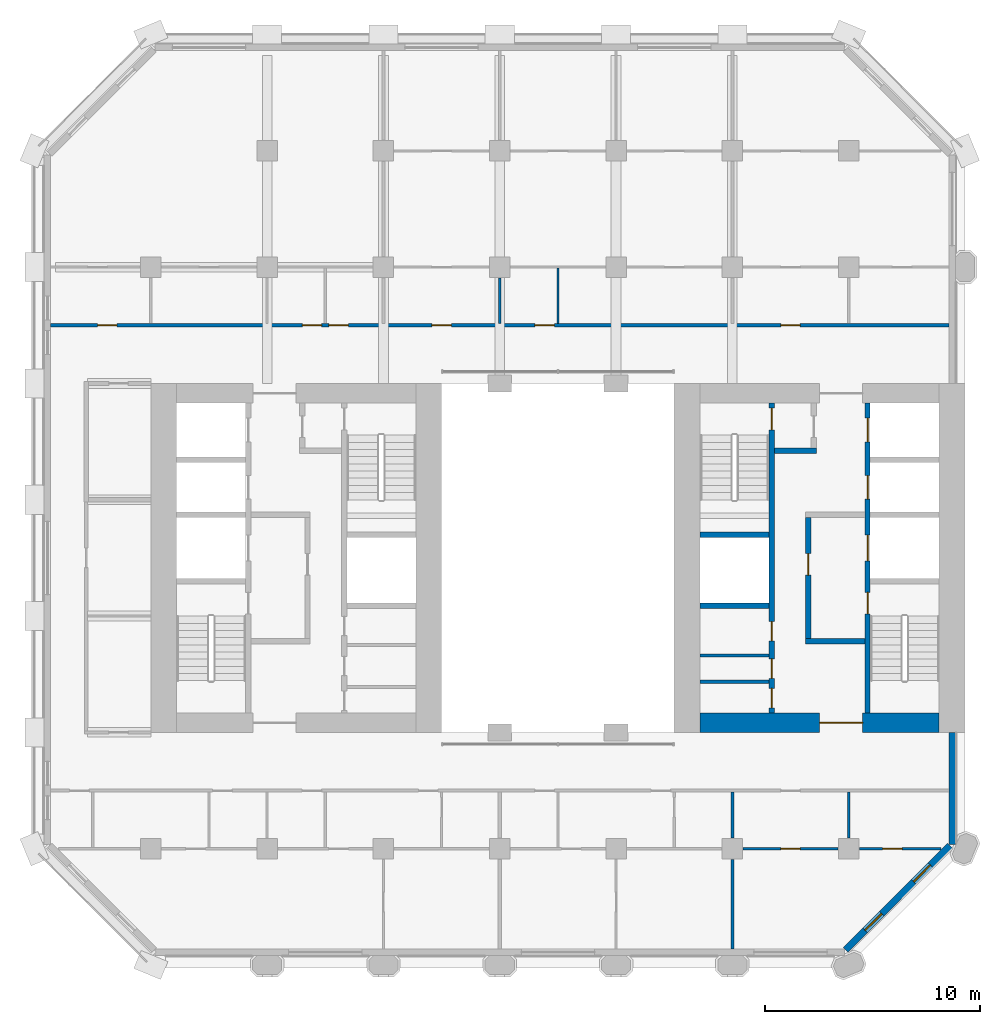
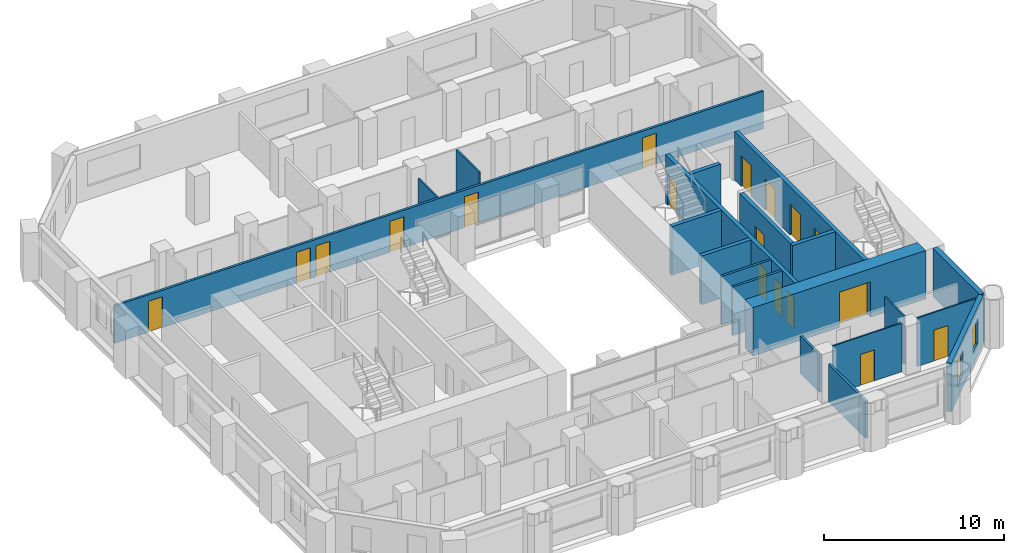
# One storey, part 8 of 13: 20 walls, 18 doors, 2 windows, 20 openings.
"""IFC4 building model written with IfcOpenShell, lengths in metres."""

from ifc_helpers import new_model, si_unit, direction, frame, frame_2d, origin, place, context, subcontext, project, spatial, rectangle, extrude, material, layer, layer_set, type_object, element, fill, save


model = new_model("IFC4")

# Units and contexts
model_context = context("Model", 3, precision=1e-05, world=origin(), true_north=direction((0.0, 1.0)))
body_context = subcontext(model_context, "Body", "Model", "MODEL_VIEW")
ifc_project = project(units=[si_unit("LENGTHUNIT", "METRE"), si_unit("AREAUNIT", "SQUARE_METRE"), si_unit("VOLUMEUNIT", "CUBIC_METRE"), si_unit("PLANEANGLEUNIT", "RADIAN"), si_unit("MASSUNIT", "GRAM", prefix="KILO")], contexts=[model_context])

# Site, building, storey
site_placement = place(None, origin())
site = spatial("IfcSite", under=ifc_project, at=site_placement, CompositionType="ELEMENT")
building_placement = place(site_placement, origin())
building = spatial("IfcBuilding", under=site, at=building_placement, Name="Tabaq Tower and Sports Hall", CompositionType="ELEMENT")
storey_placement = place(building_placement, frame((0.0, 0.0, 122.0)))
storey = spatial("IfcBuildingStorey", under=building, at=storey_placement, Name="L29", CompositionType="ELEMENT", Elevation=122.0)

# Walls
ifc_material_1 = material(Name="Blockwork", Category="masonry")
ifc_layer_1 = layer(ifc_material_1, 0.14990234375)
ifc_layer_set_1 = layer_set([ifc_layer_1], Name="Core room partition 150 Blockwork")
wall_type_1 = type_object("IfcWallType", Name="Core room partition 150 Blockwork", PredefinedType="PARTITIONING", material=ifc_layer_set_1)
for number, where, z_axis, x_axis, name in (
    (1, (30.89990234375, 18.554931640625, 0.0), (0.0, 0.0, 1.0), (1.0, 0.0, 0.0), "Core room partition E L29"),
    (2, (30.89990234375, 19.76708984375, 0.0), (0.0, 0.0, 1.0), (1.0, 0.0, 0.0), "Core room partition E L29"),
):
    element("IfcWall", number, at=place(storey_placement, frame(where, z_axis=z_axis, x_axis=x_axis)), inside=storey, type_object=wall_type_1, Name=name, PredefinedType="PARTITIONING", context=body_context, shape_type="SweptSolid", body=[
        extrude(rectangle(XDim=3.2001953125, YDim=0.14990234375, at=frame_2d((1.60009765625, 0.0))), origin(), (0.0, 0.0, 1.0), 3.300048828125),
    ])

# Wall, opening, door
ifc_material_2 = material(Name="Concrete C60/75", Category="concrete")
ifc_layer_2 = layer(ifc_material_2, 0.89990234375)
ifc_layer_set_2 = layer_set([ifc_layer_2], Name="Core wall 900 Concrete C60/75")
wall_type_2 = type_object("IfcWallType", Name="Core wall 900 Concrete C60/75", PredefinedType="SOLIDWALL", material=ifc_layer_set_2)
wall_1_placement = place(storey_placement, frame((42.0, 16.64990234375, 0.0), z_axis=(0.0, 0.0, 1.0), x_axis=(-1.0, 0.0, 0.0)))
wall_1 = element("IfcWall", 3, at=wall_1_placement, inside=storey, type_object=wall_type_2, Name="Core wall E L29", PredefinedType="SOLIDWALL", context=body_context, shape_type="SweptSolid", body=[
    extrude(rectangle(XDim=11.10009765625, YDim=0.89990234375, at=frame_2d((5.550048828125, 0.0))), origin(), (0.0, 0.0, 1.0), 3.300048828125),
])
opening_1_placement = place(wall_1_placement, frame((3.550048828125, 0.0, 0.0)))
opening_1 = element("IfcOpeningElement", 4, at=opening_1_placement, cuts=wall_1, Name="Opening PD-EL29-01", PredefinedType="OPENING", context=body_context, shape_type="SweptSolid", body=[
    extrude(rectangle(XDim=2.0, YDim=2.39990234375, at=frame_2d((1.0, 1.199951171875))), frame((0.0, 0.449951171875, 0.0), z_axis=(0.0, -1.0, 0.0), x_axis=(1.0, 0.0, 0.0)), (0.0, 0.0, 1.0), 0.89990234375),
])
ifc_material_3 = material(Name="Steel fire door", Category="steel")
door_type_1 = type_object("IfcDoorType", Name="Core entrance door 2000", OperationType="DOUBLE_DOOR_SINGLE_SWING", PredefinedType="DOOR", material=ifc_material_3)
door_1_placement = place(opening_1_placement, origin())
door_1 = element("IfcDoor", 5, at=door_1_placement, inside=storey, type_object=door_type_1, Name="Core entrance south E L29", OperationType="DOUBLE_DOOR_SINGLE_SWING", OverallHeight=2.39990234375, OverallWidth=2.0, PredefinedType="DOOR", context=body_context, shape_type="SweptSolid", body=[
    extrude(rectangle(XDim=2.0, YDim=2.39990234375, at=frame_2d((1.0, 1.199951171875))), frame((0.0, 0.02490234375, 0.0), z_axis=(0.0, -1.0, 0.0), x_axis=(1.0, 0.0, 0.0)), (0.0, 0.0, 1.0), 0.050048828125),
])
fill(opening_1, door_1)

# Walls
ifc_material_4 = material(Name="Gypsum board on steel studs", Category="steel")
ifc_layer_3 = layer(ifc_material_4, 0.10009765625)
ifc_layer_set_3 = layer_set([ifc_layer_3], Name="Partition 100 Gypsum board")
wall_type_3 = type_object("IfcWallType", Name="Partition 100 Gypsum board", PredefinedType="PARTITIONING", material=ifc_layer_set_3)
wall_2_placement = place(storey_placement, frame((21.60009765625, 35.175048828125, 0.0), z_axis=(0.0, 0.0, 1.0), x_axis=(0.0, 1.0, 0.0)))
element("IfcWall", 6, at=wall_2_placement, inside=storey, type_object=wall_type_3, Name="Partition wall L29", PredefinedType="PARTITIONING", context=body_context, shape_type="SweptSolid", body=[
    extrude(rectangle(XDim=2.1298828125, YDim=0.10009765625, at=frame_2d((1.06494140625, 0.0))), origin(), (0.0, 0.0, 1.0), 2.550048828125),
])
wall_3_placement = place(storey_placement, frame((24.300048828125, 35.175048828125, 0.0), z_axis=(0.0, 0.0, 1.0), x_axis=(0.0, 1.0, 0.0)))
element("IfcWall", 7, at=wall_3_placement, inside=storey, type_object=wall_type_3, Name="Partition wall L29", PredefinedType="PARTITIONING", context=body_context, shape_type="SweptSolid", body=[
    extrude(rectangle(XDim=2.574951171875, YDim=0.10009765625, at=frame_2d((1.28759765625, 0.0))), origin(), (0.0, 0.0, 1.0), 3.300048828125),
])

# Wall, opening, door
wall_4_placement = place(storey_placement, frame((32.89501953125, 10.800048828125, 0.0), z_axis=(0.0, 0.0, 1.0), x_axis=(1.0, 0.0, 0.0)))
wall_4 = element("IfcWall", 8, at=wall_4_placement, inside=storey, type_object=wall_type_3, Name="Partition wall L29", PredefinedType="PARTITIONING", context=body_context, shape_type="SweptSolid", body=[
    extrude(rectangle(XDim=4.409912109375, YDim=0.10009765625, at=frame_2d((2.205078125, 0.0))), origin(), (0.0, 0.0, 1.0), 3.300048828125),
])
opening_2_placement = place(wall_4_placement, frame((1.7548828125, 0.0, 0.0)))
opening_2 = element("IfcOpeningElement", 9, at=opening_2_placement, cuts=wall_4, Name="Opening L29-032", PredefinedType="OPENING", context=body_context, shape_type="SweptSolid", body=[
    extrude(rectangle(XDim=0.89990234375, YDim=2.10009765625, at=frame_2d((0.449951171875, 1.050048828125))), frame((0.0, 0.050048828125, 0.0), z_axis=(0.0, -1.0, 0.0), x_axis=(1.0, 0.0, 0.0)), (0.0, 0.0, 1.0), 0.10009765625),
])
ifc_material_5 = material(Name="Timber leaf in steel frame", Category="steel")
door_type_2 = type_object("IfcDoorType", Name="Internal door 900 left hand", OperationType="SINGLE_SWING_LEFT", PredefinedType="DOOR", material=ifc_material_5)
door_2_placement = place(opening_2_placement, origin())
door_2 = element("IfcDoor", 10, at=door_2_placement, inside=storey, type_object=door_type_2, Name="Internal door L29-032", OperationType="SINGLE_SWING_LEFT", OverallHeight=2.10009765625, OverallWidth=0.89990234375, PredefinedType="DOOR", context=body_context, shape_type="SweptSolid", body=[
    extrude(rectangle(XDim=0.89990234375, YDim=2.10009765625, at=frame_2d((0.449951171875, 1.050048828125))), frame((0.0, 0.02490234375, 0.0), z_axis=(0.0, -1.0, 0.0), x_axis=(1.0, 0.0, 0.0)), (0.0, 0.0, 1.0), 0.050048828125),
])
fill(opening_2, door_2)

# Wall
wall_5_placement = place(storey_placement, frame((37.800048828125, 11.294921875, 0.0), z_axis=(0.0, 0.0, 1.0), x_axis=(0.0, 1.0, 0.0)))
element("IfcWall", 11, at=wall_5_placement, inside=storey, type_object=wall_type_3, Name="Partition wall L29", PredefinedType="PARTITIONING", context=body_context, shape_type="SweptSolid", body=[
    extrude(rectangle(XDim=2.130126953125, YDim=0.10009765625, at=frame_2d((1.06494140625, 0.0))), origin(), (0.0, 0.0, 1.0), 3.300048828125),
])

# Wall, opening, door
wall_6_placement = place(storey_placement, frame((38.294921875, 10.800048828125, 0.0), z_axis=(0.0, 0.0, 1.0), x_axis=(1.0, 0.0, 0.0)))
wall_6 = element("IfcWall", 12, at=wall_6_placement, inside=storey, type_object=wall_type_3, Name="Partition wall L29", PredefinedType="PARTITIONING", context=body_context, shape_type="SweptSolid", body=[
    extrude(rectangle(XDim=3.79296875, YDim=0.10009765625, at=frame_2d((1.896484375, 0.0))), origin(), (0.0, 0.0, 1.0), 3.300048828125),
])
opening_3_placement = place(wall_6_placement, frame((1.080078125, 0.0, 0.0)))
opening_3 = element("IfcOpeningElement", 13, at=opening_3_placement, cuts=wall_6, Name="Opening L29-023", PredefinedType="OPENING", context=body_context, shape_type="SweptSolid", body=[
    extrude(rectangle(XDim=0.89990234375, YDim=2.10009765625, at=frame_2d((0.449951171875, 1.050048828125))), frame((0.0, 0.050048828125, 0.0), z_axis=(0.0, -1.0, 0.0), x_axis=(1.0, 0.0, 0.0)), (0.0, 0.0, 1.0), 0.10009765625),
])
ifc_material_6 = material(Name="Timber leaf in steel frame", Category="steel")
door_type_3 = type_object("IfcDoorType", Name="Internal door 900 right hand", OperationType="SINGLE_SWING_RIGHT", PredefinedType="DOOR", material=ifc_material_6)
door_3_placement = place(opening_3_placement, origin())
door_3 = element("IfcDoor", 14, at=door_3_placement, inside=storey, type_object=door_type_3, Name="Internal door L29-023", OperationType="SINGLE_SWING_RIGHT", OverallHeight=2.10009765625, OverallWidth=0.89990234375, PredefinedType="DOOR", context=body_context, shape_type="SweptSolid", body=[
    extrude(rectangle(XDim=0.89990234375, YDim=2.10009765625, at=frame_2d((0.449951171875, 1.050048828125))), frame((0.0, 0.02490234375, 0.0), z_axis=(0.0, -1.0, 0.0), x_axis=(1.0, 0.0, 0.0)), (0.0, 0.0, 1.0), 0.050048828125),
])
fill(opening_3, door_3)

# Wall, openings, doors
ifc_material_7 = material(Name="Blockwork", Category="masonry")
ifc_layer_4 = layer(ifc_material_7, 0.14990234375)
ifc_layer_set_4 = layer_set([ifc_layer_4], Name="Separating wall 150 Blockwork")
wall_type_4 = type_object("IfcWallType", Name="Separating wall 150 Blockwork", PredefinedType="PARTITIONING", material=ifc_layer_set_4)
wall_7_placement = place(storey_placement, frame((42.448974609375, 35.10009765625, 0.0), z_axis=(0.0, 0.0, 1.0), x_axis=(-1.0, 0.0, 0.0)))
wall_7 = element("IfcWall", 15, at=wall_7_placement, inside=storey, type_object=wall_type_4, Name="Separating wall L29", PredefinedType="PARTITIONING", context=body_context, shape_type="SweptSolid", body=[
    extrude(rectangle(XDim=41.697998046875, YDim=0.14990234375, at=frame_2d((20.84912109375, 0.0))), origin(), (0.0, 0.0, 1.0), 2.550048828125),
])
opening_4_placement = place(wall_7_placement, frame((29.118896484375, 0.0, 0.0)))
opening_4 = element("IfcOpeningElement", 16, at=opening_4_placement, cuts=wall_7, Name="Opening L29-001", PredefinedType="OPENING", context=body_context, shape_type="SweptSolid", body=[
    extrude(rectangle(XDim=0.89990234375, YDim=2.10009765625, at=frame_2d((0.449951171875, 1.050048828125))), frame((0.0, 0.074951171875, 0.0), z_axis=(0.0, -1.0, 0.0), x_axis=(1.0, 0.0, 0.0)), (0.0, 0.0, 1.0), 0.14990234375),
])
opening_5_placement = place(wall_7_placement, frame((27.87890625, 0.0, 0.0)))
opening_5 = element("IfcOpeningElement", 17, at=opening_5_placement, cuts=wall_7, Name="Opening L29-002", PredefinedType="OPENING", context=body_context, shape_type="SweptSolid", body=[
    extrude(rectangle(XDim=0.89990234375, YDim=2.10009765625, at=frame_2d((0.449951171875, 1.050048828125))), frame((0.0, 0.074951171875, 0.0), z_axis=(0.0, -1.0, 0.0), x_axis=(1.0, 0.0, 0.0)), (0.0, 0.0, 1.0), 0.14990234375),
])
opening_6_placement = place(wall_7_placement, frame((18.319091796875, 0.0, 0.0)))
opening_6 = element("IfcOpeningElement", 18, at=opening_6_placement, cuts=wall_7, Name="Opening L29-003", PredefinedType="OPENING", context=body_context, shape_type="SweptSolid", body=[
    extrude(rectangle(XDim=0.89990234375, YDim=2.10009765625, at=frame_2d((0.449951171875, 1.050048828125))), frame((0.0, 0.074951171875, 0.0), z_axis=(0.0, -1.0, 0.0), x_axis=(1.0, 0.0, 0.0)), (0.0, 0.0, 1.0), 0.14990234375),
])
opening_7_placement = place(wall_7_placement, frame((38.6240234375, 0.0, 0.0)))
opening_7 = element("IfcOpeningElement", 19, at=opening_7_placement, cuts=wall_7, Name="Opening L29-024", PredefinedType="OPENING", context=body_context, shape_type="SweptSolid", body=[
    extrude(rectangle(XDim=0.89990234375, YDim=2.10009765625, at=frame_2d((0.449951171875, 1.050048828125))), frame((0.0, 0.074951171875, 0.0), z_axis=(0.0, -1.0, 0.0), x_axis=(1.0, 0.0, 0.0)), (0.0, 0.0, 1.0), 0.14990234375),
])
opening_8_placement = place(wall_7_placement, frame((23.09912109375, 0.0, 0.0)))
opening_8 = element("IfcOpeningElement", 20, at=opening_8_placement, cuts=wall_7, Name="Opening L29-025", PredefinedType="OPENING", context=body_context, shape_type="SweptSolid", body=[
    extrude(rectangle(XDim=0.89990234375, YDim=2.10009765625, at=frame_2d((0.449951171875, 1.050048828125))), frame((0.0, 0.074951171875, 0.0), z_axis=(0.0, -1.0, 0.0), x_axis=(1.0, 0.0, 0.0)), (0.0, 0.0, 1.0), 0.14990234375),
])
opening_9_placement = place(wall_7_placement, frame((6.89892578125, 0.0, 0.0)))
opening_9 = element("IfcOpeningElement", 21, at=opening_9_placement, cuts=wall_7, Name="Opening L29-026", PredefinedType="OPENING", context=body_context, shape_type="SweptSolid", body=[
    extrude(rectangle(XDim=0.89990234375, YDim=2.10009765625, at=frame_2d((0.449951171875, 1.050048828125))), frame((0.0, 0.074951171875, 0.0), z_axis=(0.0, -1.0, 0.0), x_axis=(1.0, 0.0, 0.0)), (0.0, 0.0, 1.0), 0.14990234375),
])
ifc_material_8 = material(Name="Steel fire door", Category="steel")
door_type_4 = type_object("IfcDoorType", Name="Entrance door 900 left hand", OperationType="SINGLE_SWING_LEFT", PredefinedType="DOOR", material=ifc_material_8)
door_4_placement = place(opening_4_placement, origin())
door_4 = element("IfcDoor", 22, at=door_4_placement, inside=storey, type_object=door_type_4, Name="Entrance door L29-001", OperationType="SINGLE_SWING_LEFT", OverallHeight=2.10009765625, OverallWidth=0.89990234375, PredefinedType="DOOR", context=body_context, shape_type="SweptSolid", body=[
    extrude(rectangle(XDim=0.89990234375, YDim=2.10009765625, at=frame_2d((0.449951171875, 1.050048828125))), frame((0.0, 0.02490234375, 0.0), z_axis=(0.0, -1.0, 0.0), x_axis=(1.0, 0.0, 0.0)), (0.0, 0.0, 1.0), 0.050048828125),
])
fill(opening_4, door_4)
door_5_placement = place(opening_5_placement, origin())
door_5 = element("IfcDoor", 23, at=door_5_placement, inside=storey, type_object=door_type_4, Name="Entrance door L29-002", OperationType="SINGLE_SWING_LEFT", OverallHeight=2.10009765625, OverallWidth=0.89990234375, PredefinedType="DOOR", context=body_context, shape_type="SweptSolid", body=[
    extrude(rectangle(XDim=0.89990234375, YDim=2.10009765625, at=frame_2d((0.449951171875, 1.050048828125))), frame((0.0, 0.02490234375, 0.0), z_axis=(0.0, -1.0, 0.0), x_axis=(1.0, 0.0, 0.0)), (0.0, 0.0, 1.0), 0.050048828125),
])
fill(opening_5, door_5)
door_6_placement = place(opening_6_placement, origin())
door_6 = element("IfcDoor", 24, at=door_6_placement, inside=storey, type_object=door_type_4, Name="Entrance door L29-003", OperationType="SINGLE_SWING_LEFT", OverallHeight=2.10009765625, OverallWidth=0.89990234375, PredefinedType="DOOR", context=body_context, shape_type="SweptSolid", body=[
    extrude(rectangle(XDim=0.89990234375, YDim=2.10009765625, at=frame_2d((0.449951171875, 1.050048828125))), frame((0.0, 0.02490234375, 0.0), z_axis=(0.0, -1.0, 0.0), x_axis=(1.0, 0.0, 0.0)), (0.0, 0.0, 1.0), 0.050048828125),
])
fill(opening_6, door_6)
door_7_placement = place(opening_7_placement, origin())
door_7 = element("IfcDoor", 25, at=door_7_placement, inside=storey, type_object=door_type_4, Name="Entrance door L29-024", OperationType="SINGLE_SWING_LEFT", OverallHeight=2.10009765625, OverallWidth=0.89990234375, PredefinedType="DOOR", context=body_context, shape_type="SweptSolid", body=[
    extrude(rectangle(XDim=0.89990234375, YDim=2.10009765625, at=frame_2d((0.449951171875, 1.050048828125))), frame((0.0, 0.02490234375, 0.0), z_axis=(0.0, -1.0, 0.0), x_axis=(1.0, 0.0, 0.0)), (0.0, 0.0, 1.0), 0.050048828125),
])
fill(opening_7, door_7)
door_8_placement = place(opening_8_placement, origin())
door_8 = element("IfcDoor", 26, at=door_8_placement, inside=storey, type_object=door_type_4, Name="Entrance door L29-025", OperationType="SINGLE_SWING_LEFT", OverallHeight=2.10009765625, OverallWidth=0.89990234375, PredefinedType="DOOR", context=body_context, shape_type="SweptSolid", body=[
    extrude(rectangle(XDim=0.89990234375, YDim=2.10009765625, at=frame_2d((0.449951171875, 1.050048828125))), frame((0.0, 0.02490234375, 0.0), z_axis=(0.0, -1.0, 0.0), x_axis=(1.0, 0.0, 0.0)), (0.0, 0.0, 1.0), 0.050048828125),
])
fill(opening_8, door_8)
door_9_placement = place(opening_9_placement, origin())
door_9 = element("IfcDoor", 27, at=door_9_placement, inside=storey, type_object=door_type_4, Name="Entrance door L29-026", OperationType="SINGLE_SWING_LEFT", OverallHeight=2.10009765625, OverallWidth=0.89990234375, PredefinedType="DOOR", context=body_context, shape_type="SweptSolid", body=[
    extrude(rectangle(XDim=0.89990234375, YDim=2.10009765625, at=frame_2d((0.449951171875, 1.050048828125))), frame((0.0, 0.02490234375, 0.0), z_axis=(0.0, -1.0, 0.0), x_axis=(1.0, 0.0, 0.0)), (0.0, 0.0, 1.0), 0.050048828125),
])
fill(opening_9, door_9)

# Walls
wall_8_placement = place(storey_placement, frame((32.39990234375, 11.294921875, 0.0), z_axis=(0.0, 0.0, 1.0), x_axis=(0.0, 1.0, 0.0)))
element("IfcWall", 28, at=wall_8_placement, inside=storey, type_object=wall_type_4, Name="Separating wall L29", PredefinedType="PARTITIONING", context=body_context, shape_type="SweptSolid", body=[
    extrude(rectangle(XDim=2.130126953125, YDim=0.14990234375, at=frame_2d((1.06494140625, 0.0))), origin(), (0.0, 0.0, 1.0), 2.550048828125),
])
wall_9_placement = place(storey_placement, frame((32.39990234375, 6.15087890625, 0.0), z_axis=(0.0, 0.0, 1.0), x_axis=(0.0, 1.0, 0.0)))
element("IfcWall", 29, at=wall_9_placement, inside=storey, type_object=wall_type_4, Name="Separating wall L29", PredefinedType="PARTITIONING", context=body_context, shape_type="SweptSolid", body=[
    extrude(rectangle(XDim=4.154052734375, YDim=0.14990234375, at=frame_2d((2.0771484375, 0.0))), origin(), (0.0, 0.0, 1.0), 2.550048828125),
])

# Wall, openings, doors
ifc_material_9 = material(Name="Concrete C40/50", Category="concrete")
ifc_layer_5 = layer(ifc_material_9, 0.25)
ifc_layer_set_5 = layer_set([ifc_layer_5], Name="Shaft and stair wall 250 Concrete C40/50")
wall_type_5 = type_object("IfcWallType", Name="Shaft and stair wall 250 Concrete C40/50", PredefinedType="SOLIDWALL", material=ifc_layer_set_5)
wall_10_placement = place(storey_placement, frame((38.675048828125, 17.10009765625, 0.0), z_axis=(0.0, 0.0, 1.0), x_axis=(0.0, 1.0, 0.0)))
wall_10 = element("IfcWall", 30, at=wall_10_placement, inside=storey, type_object=wall_type_5, Name="Shaft wall E L29", PredefinedType="SOLIDWALL", context=body_context, shape_type="SweptSolid", body=[
    extrude(rectangle(XDim=14.39990234375, YDim=0.25, at=frame_2d((7.199951171875, 0.0))), origin(), (0.0, 0.0, 1.0), 3.300048828125),
])
opening_10_placement = place(wall_10_placement, frame((4.60009765625, 0.0, 0.0)))
opening_10 = element("IfcOpeningElement", 31, at=opening_10_placement, cuts=wall_10, Name="Opening SD-EL29-03", PredefinedType="OPENING", context=body_context, shape_type="SweptSolid", body=[
    extrude(rectangle(XDim=1.0, YDim=2.10009765625, at=frame_2d((0.5, 1.050048828125))), frame((0.0, 0.125, 0.0), z_axis=(0.0, -1.0, 0.0), x_axis=(1.0, 0.0, 0.0)), (0.0, 0.0, 1.0), 0.25),
])
opening_11_placement = place(wall_10_placement, frame((7.0625, 0.0, 0.0)))
opening_11 = element("IfcOpeningElement", 32, at=opening_11_placement, cuts=wall_10, Name="Opening LD-FF2-L29", PredefinedType="OPENING", context=body_context, shape_type="SweptSolid", body=[
    extrude(rectangle(XDim=1.199951171875, YDim=2.10009765625, at=frame_2d((0.60009765625, 1.050048828125))), frame((0.0, 0.125, 0.0), z_axis=(0.0, -1.0, 0.0), x_axis=(1.0, 0.0, 0.0)), (0.0, 0.0, 1.0), 0.25),
])
opening_12_placement = place(wall_10_placement, frame((9.925048828125, 0.0, 0.0)))
opening_12 = element("IfcOpeningElement", 33, at=opening_12_placement, cuts=wall_10, Name="Opening LD-LR3-L29", PredefinedType="OPENING", context=body_context, shape_type="SweptSolid", body=[
    extrude(rectangle(XDim=1.10009765625, YDim=2.10009765625, at=frame_2d((0.550048828125, 1.050048828125))), frame((0.0, 0.125, 0.0), z_axis=(0.0, -1.0, 0.0), x_axis=(1.0, 0.0, 0.0)), (0.0, 0.0, 1.0), 0.25),
])
opening_13_placement = place(wall_10_placement, frame((12.58740234375, 0.0, 0.0)))
opening_13 = element("IfcOpeningElement", 34, at=opening_13_placement, cuts=wall_10, Name="Opening LD-LR4-L29", PredefinedType="OPENING", context=body_context, shape_type="SweptSolid", body=[
    extrude(rectangle(XDim=1.10009765625, YDim=2.10009765625, at=frame_2d((0.550048828125, 1.050048828125))), frame((0.0, 0.125, 0.0), z_axis=(0.0, -1.0, 0.0), x_axis=(1.0, 0.0, 0.0)), (0.0, 0.0, 1.0), 0.25),
])
ifc_material_10 = material(Name="Stainless steel", Category="steel")
door_type_5 = type_object("IfcDoorType", Name="Lift landing door 1100", OperationType="DOUBLE_DOOR_SLIDING", PredefinedType="DOOR", material=ifc_material_10)
door_10_placement = place(opening_12_placement, origin())
door_10 = element("IfcDoor", 35, at=door_10_placement, inside=storey, type_object=door_type_5, Name="Lift landing door LR3 E L29", OperationType="DOUBLE_DOOR_SLIDING", OverallHeight=2.10009765625, OverallWidth=1.10009765625, PredefinedType="DOOR", context=body_context, shape_type="SweptSolid", body=[
    extrude(rectangle(XDim=1.10009765625, YDim=2.10009765625, at=frame_2d((0.550048828125, 1.050048828125))), frame((0.0, 0.02490234375, 0.0), z_axis=(0.0, -1.0, 0.0), x_axis=(1.0, 0.0, 0.0)), (0.0, 0.0, 1.0), 0.050048828125),
])
fill(opening_12, door_10)
door_11_placement = place(opening_13_placement, origin())
door_11 = element("IfcDoor", 36, at=door_11_placement, inside=storey, type_object=door_type_5, Name="Lift landing door LR4 E L29", OperationType="DOUBLE_DOOR_SLIDING", OverallHeight=2.10009765625, OverallWidth=1.10009765625, PredefinedType="DOOR", context=body_context, shape_type="SweptSolid", body=[
    extrude(rectangle(XDim=1.10009765625, YDim=2.10009765625, at=frame_2d((0.550048828125, 1.050048828125))), frame((0.0, 0.02490234375, 0.0), z_axis=(0.0, -1.0, 0.0), x_axis=(1.0, 0.0, 0.0)), (0.0, 0.0, 1.0), 0.050048828125),
])
fill(opening_13, door_11)
ifc_material_11 = material(Name="Stainless steel", Category="steel")
door_type_6 = type_object("IfcDoorType", Name="Lift landing door 1200", OperationType="DOUBLE_DOOR_SLIDING", PredefinedType="DOOR", material=ifc_material_11)
door_12_placement = place(opening_11_placement, origin())
door_12 = element("IfcDoor", 37, at=door_12_placement, inside=storey, type_object=door_type_6, Name="Lift landing door FF2 E L29", OperationType="DOUBLE_DOOR_SLIDING", OverallHeight=2.10009765625, OverallWidth=1.199951171875, PredefinedType="DOOR", context=body_context, shape_type="SweptSolid", body=[
    extrude(rectangle(XDim=1.199951171875, YDim=2.10009765625, at=frame_2d((0.60009765625, 1.050048828125))), frame((0.0, 0.02490234375, 0.0), z_axis=(0.0, -1.0, 0.0), x_axis=(1.0, 0.0, 0.0)), (0.0, 0.0, 1.0), 0.050048828125),
])
fill(opening_11, door_12)
ifc_material_12 = material(Name="Steel fire door", Category="steel")
door_type_7 = type_object("IfcDoorType", Name="Stair door 1000", OperationType="SINGLE_SWING_LEFT", PredefinedType="DOOR", material=ifc_material_12)
door_13_placement = place(opening_10_placement, origin())
door_13 = element("IfcDoor", 38, at=door_13_placement, inside=storey, type_object=door_type_7, Name="Stair door ST3 E L29", OperationType="SINGLE_SWING_LEFT", OverallHeight=2.10009765625, OverallWidth=1.0, PredefinedType="DOOR", context=body_context, shape_type="SweptSolid", body=[
    extrude(rectangle(XDim=1.0, YDim=2.10009765625, at=frame_2d((0.5, 1.050048828125))), frame((0.0, 0.02490234375, 0.0), z_axis=(0.0, -1.0, 0.0), x_axis=(1.0, 0.0, 0.0)), (0.0, 0.0, 1.0), 0.050048828125),
])
fill(opening_10, door_13)

wall_11_placement = place(storey_placement, frame((34.22509765625, 17.10009765625, 0.0), z_axis=(0.0, 0.0, 1.0), x_axis=(0.0, 1.0, 0.0)))
wall_11 = element("IfcWall", 39, at=wall_11_placement, inside=storey, type_object=wall_type_5, Name="Shaft wall E L29", PredefinedType="SOLIDWALL", context=body_context, shape_type="SweptSolid", body=[
    extrude(rectangle(XDim=14.39990234375, YDim=0.25, at=frame_2d((7.199951171875, 0.0))), origin(), (0.0, 0.0, 1.0), 3.300048828125),
])
opening_14_placement = place(wall_11_placement, frame((13.14990234375, 0.0, 0.0)))
opening_14 = element("IfcOpeningElement", 40, at=opening_14_placement, cuts=wall_11, Name="Opening SD-EL29-05", PredefinedType="OPENING", context=body_context, shape_type="SweptSolid", body=[
    extrude(rectangle(XDim=1.0, YDim=2.10009765625, at=frame_2d((0.5, 1.050048828125))), frame((0.0, 0.125, 0.0), z_axis=(0.0, -1.0, 0.0), x_axis=(1.0, 0.0, 0.0)), (0.0, 0.0, 1.0), 0.25),
])
opening_15_placement = place(wall_11_placement, frame((0.239990234375, 0.0, 0.0)))
opening_15 = element("IfcOpeningElement", 41, at=opening_15_placement, cuts=wall_11, Name="Opening RD-EL29-10", PredefinedType="OPENING", context=body_context, shape_type="SweptSolid", body=[
    extrude(rectangle(XDim=0.89990234375, YDim=2.10009765625, at=frame_2d((0.449951171875, 1.050048828125))), frame((0.0, 0.125, 0.0), z_axis=(0.0, -1.0, 0.0), x_axis=(1.0, 0.0, 0.0)), (0.0, 0.0, 1.0), 0.25),
])
opening_16_placement = place(wall_11_placement, frame((1.611083984375, 0.0, 0.0)))
opening_16 = element("IfcOpeningElement", 42, at=opening_16_placement, cuts=wall_11, Name="Opening RD-EL29-11", PredefinedType="OPENING", context=body_context, shape_type="SweptSolid", body=[
    extrude(rectangle(XDim=0.89990234375, YDim=2.10009765625, at=frame_2d((0.449951171875, 1.050048828125))), frame((0.0, 0.125, 0.0), z_axis=(0.0, -1.0, 0.0), x_axis=(1.0, 0.0, 0.0)), (0.0, 0.0, 1.0), 0.25),
])
opening_17_placement = place(wall_11_placement, frame((3.345947265625, 0.0, 0.0)))
opening_17 = element("IfcOpeningElement", 43, at=opening_17_placement, cuts=wall_11, Name="Opening RD-EL29-12", PredefinedType="OPENING", context=body_context, shape_type="SweptSolid", body=[
    extrude(rectangle(XDim=0.89990234375, YDim=2.10009765625, at=frame_2d((0.449951171875, 1.050048828125))), frame((0.0, 0.125, 0.0), z_axis=(0.0, -1.0, 0.0), x_axis=(1.0, 0.0, 0.0)), (0.0, 0.0, 1.0), 0.25),
])
ifc_material_13 = material(Name="Steel fire door", Category="steel")
door_type_8 = type_object("IfcDoorType", Name="Core room door 900", OperationType="SINGLE_SWING_LEFT", PredefinedType="DOOR", material=ifc_material_13)
door_14_placement = place(opening_15_placement, origin())
door_14 = element("IfcDoor", 44, at=door_14_placement, inside=storey, type_object=door_type_8, Name="Door Accessible WC E L29", OperationType="SINGLE_SWING_LEFT", OverallHeight=2.10009765625, OverallWidth=0.89990234375, PredefinedType="DOOR", context=body_context, shape_type="SweptSolid", body=[
    extrude(rectangle(XDim=0.89990234375, YDim=2.10009765625, at=frame_2d((0.449951171875, 1.050048828125))), frame((0.0, 0.02490234375, 0.0), z_axis=(0.0, -1.0, 0.0), x_axis=(1.0, 0.0, 0.0)), (0.0, 0.0, 1.0), 0.050048828125),
])
fill(opening_15, door_14)
door_15_placement = place(opening_16_placement, origin())
door_15 = element("IfcDoor", 45, at=door_15_placement, inside=storey, type_object=door_type_8, Name="Door Electrical Riser Room E L29", OperationType="SINGLE_SWING_LEFT", OverallHeight=2.10009765625, OverallWidth=0.89990234375, PredefinedType="DOOR", context=body_context, shape_type="SweptSolid", body=[
    extrude(rectangle(XDim=0.89990234375, YDim=2.10009765625, at=frame_2d((0.449951171875, 1.050048828125))), frame((0.0, 0.02490234375, 0.0), z_axis=(0.0, -1.0, 0.0), x_axis=(1.0, 0.0, 0.0)), (0.0, 0.0, 1.0), 0.050048828125),
])
fill(opening_16, door_15)
door_16_placement = place(opening_17_placement, origin())
door_16 = element("IfcDoor", 46, at=door_16_placement, inside=storey, type_object=door_type_8, Name="Door Unisex WC E L29", OperationType="SINGLE_SWING_LEFT", OverallHeight=2.10009765625, OverallWidth=0.89990234375, PredefinedType="DOOR", context=body_context, shape_type="SweptSolid", body=[
    extrude(rectangle(XDim=0.89990234375, YDim=2.10009765625, at=frame_2d((0.449951171875, 1.050048828125))), frame((0.0, 0.02490234375, 0.0), z_axis=(0.0, -1.0, 0.0), x_axis=(1.0, 0.0, 0.0)), (0.0, 0.0, 1.0), 0.050048828125),
])
fill(opening_17, door_16)
door_17_placement = place(opening_14_placement, origin())
door_17 = element("IfcDoor", 47, at=door_17_placement, inside=storey, type_object=door_type_7, Name="Stair door ST4 E L29", OperationType="SINGLE_SWING_LEFT", OverallHeight=2.10009765625, OverallWidth=1.0, PredefinedType="DOOR", context=body_context, shape_type="SweptSolid", body=[
    extrude(rectangle(XDim=1.0, YDim=2.10009765625, at=frame_2d((0.5, 1.050048828125))), frame((0.0, 0.02490234375, 0.0), z_axis=(0.0, -1.0, 0.0), x_axis=(1.0, 0.0, 0.0)), (0.0, 0.0, 1.0), 0.050048828125),
])
fill(opening_14, door_17)

# Walls
for number, where, z_axis, x_axis, name in (
    (48, (30.89990234375, 25.375, 0.0), (0.0, 0.0, 1.0), (1.0, 0.0, 0.0), "Stair enclosure wall E L29"),
    (49, (30.89990234375, 22.074951171875, 0.0), (0.0, 0.0, 1.0), (1.0, 0.0, 0.0), "Shaft wall E L29"),
):
    element("IfcWall", number, at=place(storey_placement, frame(where, z_axis=z_axis, x_axis=x_axis)), inside=storey, type_object=wall_type_5, Name=name, PredefinedType="SOLIDWALL", context=body_context, shape_type="SweptSolid", body=[
        extrude(rectangle(XDim=3.2001953125, YDim=0.25, at=frame_2d((1.60009765625, 0.0))), origin(), (0.0, 0.0, 1.0), 3.300048828125),
    ])
wall_12_placement = place(storey_placement, frame((35.800048828125, 20.425048828125, 0.0), z_axis=(0.0, 0.0, 1.0), x_axis=(1.0, 0.0, 0.0)))
element("IfcWall", 50, at=wall_12_placement, inside=storey, type_object=wall_type_5, Name="Fire-fighting lobby wall E L29", PredefinedType="SOLIDWALL", context=body_context, shape_type="SweptSolid", body=[
    extrude(rectangle(XDim=2.75, YDim=0.25, at=frame_2d((1.375, 0.0))), origin(), (0.0, 0.0, 1.0), 3.300048828125),
])
wall_13_placement = place(storey_placement, frame((34.35009765625, 29.27490234375, 0.0), z_axis=(0.0, 0.0, 1.0), x_axis=(1.0, 0.0, 0.0)))
element("IfcWall", 51, at=wall_13_placement, inside=storey, type_object=wall_type_5, Name="Fire-fighting lobby wall E L29", PredefinedType="SOLIDWALL", context=body_context, shape_type="SweptSolid", body=[
    extrude(rectangle(XDim=1.949951171875, YDim=0.25, at=frame_2d((0.97509765625, 0.0))), origin(), (0.0, 0.0, 1.0), 3.300048828125),
])

# Wall, opening, door
wall_14_placement = place(storey_placement, frame((35.925048828125, 20.550048828125, 0.0), z_axis=(0.0, 0.0, 1.0), x_axis=(0.0, 1.0, 0.0)))
wall_14 = element("IfcWall", 52, at=wall_14_placement, inside=storey, type_object=wall_type_5, Name="Fire-fighting lobby wall E L29", PredefinedType="SOLIDWALL", context=body_context, shape_type="SweptSolid", body=[
    extrude(rectangle(XDim=5.625, YDim=0.25, at=frame_2d((2.8125, 0.0))), origin(), (0.0, 0.0, 1.0), 3.300048828125),
])
opening_18_placement = place(wall_14_placement, frame((2.949951171875, 0.0, 0.0)))
opening_18 = element("IfcOpeningElement", 53, at=opening_18_placement, cuts=wall_14, Name="Opening FD-EL29-04", PredefinedType="OPENING", context=body_context, shape_type="SweptSolid", body=[
    extrude(rectangle(XDim=1.0, YDim=2.10009765625, at=frame_2d((0.5, 1.050048828125))), frame((0.0, 0.125, 0.0), z_axis=(0.0, -1.0, 0.0), x_axis=(1.0, 0.0, 0.0)), (0.0, 0.0, 1.0), 0.25),
])
ifc_material_14 = material(Name="Steel fire door", Category="steel")
door_type_9 = type_object("IfcDoorType", Name="Fire-fighting lobby door 1000", OperationType="SINGLE_SWING_LEFT", PredefinedType="DOOR", material=ifc_material_14)
door_18_placement = place(opening_18_placement, origin())
door_18 = element("IfcDoor", 54, at=door_18_placement, inside=storey, type_object=door_type_9, Name="Fire-fighting lobby door E L29", OperationType="SINGLE_SWING_LEFT", OverallHeight=2.10009765625, OverallWidth=1.0, PredefinedType="DOOR", context=body_context, shape_type="SweptSolid", body=[
    extrude(rectangle(XDim=1.0, YDim=2.10009765625, at=frame_2d((0.5, 1.050048828125))), frame((0.0, 0.02490234375, 0.0), z_axis=(0.0, -1.0, 0.0), x_axis=(1.0, 0.0, 0.0)), (0.0, 0.0, 1.0), 0.050048828125),
])
fill(opening_18, door_18)

# Wall, openings, windows
ifc_material_15 = material(Name="White precast concrete C60/75", Category="concrete")
ifc_layer_6 = layer(ifc_material_15, 0.300048828125)
ifc_layer_set_6 = layer_set([ifc_layer_6], Name="White precast concrete C60/75 external wall 300")
wall_type_6 = type_object("IfcWallType", Name="White precast concrete C60/75 external wall 300", PredefinedType="SOLIDWALL", material=ifc_layer_set_6)
wall_15_placement = place(storey_placement, frame((37.650390625, 6.098876953125, 0.0), z_axis=(0.0, 0.0, 1.0), x_axis=(0.707106781187, 0.707106781187, 0.0)))
wall_15 = element("IfcWall", 55, at=wall_15_placement, inside=storey, type_object=wall_type_6, Name="External Wall L29 SE", PredefinedType="SOLIDWALL", context=body_context, shape_type="SweptSolid", body=[
    extrude(rectangle(XDim=6.85986328125, YDim=0.300048828125, at=frame_2d((3.429931640625, 0.0))), origin(), (0.0, 0.0, 1.0), 3.300048828125),
])
opening_19_placement = place(wall_15_placement, frame((1.27978515625, 0.0, 0.89990234375)))
opening_19 = element("IfcOpeningElement", 56, at=opening_19_placement, cuts=wall_15, Name="Opening W1B", PredefinedType="OPENING", context=body_context, shape_type="SweptSolid", body=[
    extrude(rectangle(XDim=1.10009765625, YDim=1.699951171875, at=frame_2d((0.550048828125, 0.85009765625))), frame((0.0, 0.16015625, 0.0), z_axis=(0.0, -1.0, 0.0), x_axis=(1.0, 0.0, 0.0)), (0.0, 0.0, 1.0), 0.320068359375),
])
opening_20_placement = place(wall_15_placement, frame((4.479736328125, 0.0, 0.89990234375)))
opening_20 = element("IfcOpeningElement", 57, at=opening_20_placement, cuts=wall_15, Name="Opening W1B", PredefinedType="OPENING", context=body_context, shape_type="SweptSolid", body=[
    extrude(rectangle(XDim=1.10009765625, YDim=1.699951171875, at=frame_2d((0.550048828125, 0.85009765625))), frame((0.0, 0.16015625, 0.0), z_axis=(0.0, -1.0, 0.0), x_axis=(1.0, 0.0, 0.0)), (0.0, 0.0, 1.0), 0.320068359375),
])
ifc_material_16 = material(Name="Aluminium framed clear glazing", Category="aluminium")
window_type = type_object("IfcWindowType", Name="Window W1B", PartitioningType="SINGLE_PANEL", PredefinedType="WINDOW", material=ifc_material_16)
window_1_placement = place(opening_19_placement, origin())
window_1 = element("IfcWindow", 58, at=window_1_placement, inside=storey, type_object=window_type, Name="Window W1B L29", OverallHeight=1.699951171875, OverallWidth=1.10009765625, PartitioningType="SINGLE_PANEL", PredefinedType="WINDOW", context=body_context, shape_type="SweptSolid", body=[
    extrude(rectangle(XDim=1.10009765625, YDim=1.699951171875, at=frame_2d((0.550048828125, 0.85009765625))), frame((0.0, 0.030029296875, 0.0), z_axis=(0.0, -1.0, 0.0), x_axis=(1.0, 0.0, 0.0)), (0.0, 0.0, 1.0), 0.06005859375),
])
fill(opening_19, window_1)
window_2_placement = place(opening_20_placement, origin())
window_2 = element("IfcWindow", 59, at=window_2_placement, inside=storey, type_object=window_type, Name="Window W1B L29", OverallHeight=1.699951171875, OverallWidth=1.10009765625, PartitioningType="SINGLE_PANEL", PredefinedType="WINDOW", context=body_context, shape_type="SweptSolid", body=[
    extrude(rectangle(XDim=1.10009765625, YDim=1.699951171875, at=frame_2d((0.550048828125, 0.85009765625))), frame((0.0, 0.030029296875, 0.0), z_axis=(0.0, -1.0, 0.0), x_axis=(1.0, 0.0, 0.0)), (0.0, 0.0, 1.0), 0.06005859375),
])
fill(opening_20, window_2)

# Wall
wall_16_placement = place(storey_placement, frame((42.60009765625, 10.986328125, 0.0), z_axis=(0.0, 0.0, 1.0), x_axis=(0.0, 1.0, 0.0)))
element("IfcWall", 60, at=wall_16_placement, inside=storey, type_object=wall_type_6, Name="External Wall L29 E", PredefinedType="SOLIDWALL", context=body_context, shape_type="SweptSolid", body=[
    extrude(rectangle(XDim=5.213623046875, YDim=0.300048828125, at=frame_2d((2.60693359375, 0.0))), origin(), (0.0, 0.0, 1.0), 3.300048828125),
])

save(model, "model.ifc")
